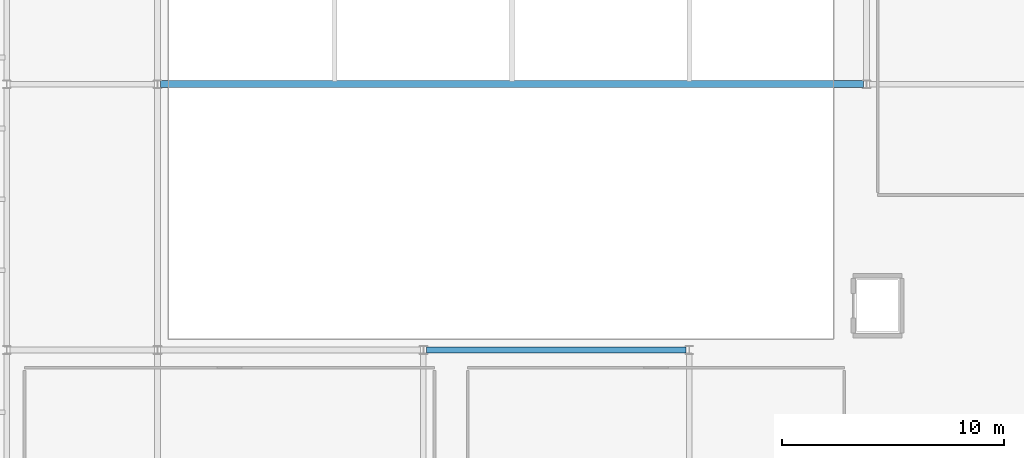
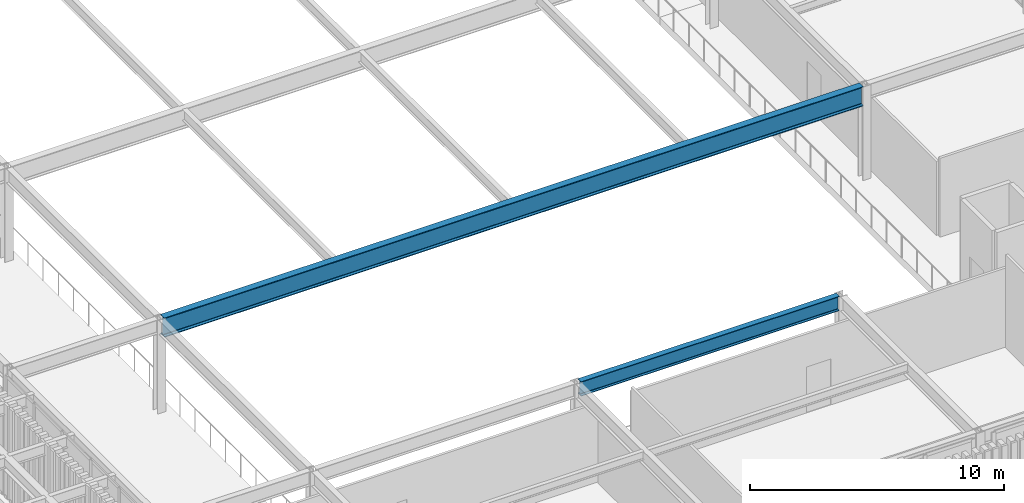
# One storey, part 47 of 126: 2 beams.
"""IFC4 building model written with IfcOpenShell, lengths in metres."""

import ifcopenshell
import ifcopenshell.guid

model = None  # the IFC model being written
_history = None  # IfcOwnerHistory: only IFC2X3 demands one
_inside = {}  # id of a spatial element -> (the spatial element, [elements in it])
_under = {}  # id of a project, library or spatial element -> (it, [spatial elements below it])
_declared = {}  # id of a project -> (the project, [libraries it declares])
_typed = {}  # id of a type object -> (the type object, [elements of that type])
_made_of = {}  # id of a material, layer set ... -> (it, [elements and type objects made of it])


def new_model(schema):
    """Start an empty IFC model of exactly this schema.

    Asked for "IFC4X3", IfcOpenShell would pick the latest addendum, in which some entities
    have other attributes; the version numbers below select the first issue.
    IFC2X3 requires an IfcOwnerHistory on every rooted entity: one is made here for all.
    """
    global model, _history
    if schema == "IFC4X3":
        model = ifcopenshell.file(schema_version=(4, 3, 0, 0))
    else:
        model = ifcopenshell.file(schema=schema)
    _inside.clear()
    _under.clear()
    _declared.clear()
    _typed.clear()
    _made_of.clear()
    _history = None
    if model.schema == "IFC2X3":
        org = make("IfcOrganization", Name="unknown")
        user = make(
            "IfcPersonAndOrganization",
            ThePerson=make("IfcPerson", FamilyName="unknown"),
            TheOrganization=org,
        )
        app = make(
            "IfcApplication",
            ApplicationDeveloper=org,
            Version="unknown",
            ApplicationFullName="unknown",
            ApplicationIdentifier="unknown",
        )
        _history = make(
            "IfcOwnerHistory",
            OwningUser=user,
            OwningApplication=app,
            ChangeAction="ADDED",
            CreationDate=0,
        )
    return model


def make(cls, **values):
    """One entity of the class cls with the attributes given. An attribute that is None is left unset."""
    return model.create_entity(
        cls, **{name: value for name, value in values.items() if value is not None}
    )


def rooted(cls, **values):
    """An entity with a GlobalId (a new one), such as an element, a storey or a relation."""
    return make(cls, GlobalId=ifcopenshell.guid.new(), OwnerHistory=_history, **values)


def si_unit(unit_type, name, prefix=None):
    """IfcSIUnit, for example si_unit("LENGTHUNIT", "METRE", prefix="MILLI")."""
    return make("IfcSIUnit", UnitType=unit_type, Prefix=prefix, Name=name)


def derived_unit(unit_type, elements):
    """IfcDerivedUnit: a product of units, each with its exponent."""
    return make(
        "IfcDerivedUnit",
        Elements=[
            make("IfcDerivedUnitElement", Unit=unit, Exponent=power)
            for unit, power in elements
        ],
        UnitType=unit_type,
    )


def assignment(units):
    """IfcUnitAssignment: the units of a project."""
    return None if units is None else make("IfcUnitAssignment", Units=units)


def point(xyz):
    """IfcCartesianPoint."""
    return None if xyz is None else make("IfcCartesianPoint", Coordinates=xyz)


def direction(xyz):
    """IfcDirection."""
    return None if xyz is None else make("IfcDirection", DirectionRatios=xyz)


def frame(location, z_axis=None, x_axis=None):
    """IfcAxis2Placement3D, a coordinate frame: its origin and axes. An axis left out is left unset."""
    return make(
        "IfcAxis2Placement3D",
        Location=point(location),
        Axis=direction(z_axis),
        RefDirection=direction(x_axis),
    )


def frame_2d(location, x_axis=None):
    """IfcAxis2Placement2D, a coordinate frame in the plane: its origin and x axis."""
    return make(
        "IfcAxis2Placement2D", Location=point(location), RefDirection=direction(x_axis)
    )


def origin():
    """The frame at (0, 0, 0) with its axes left unset."""
    return frame((0.0, 0.0, 0.0))


def origin_2d():
    """The frame at (0, 0) in the plane with its x axis left unset."""
    return frame_2d((0.0, 0.0))


def place(relative_to, where):
    """IfcLocalPlacement: puts the frame where relative to a parent placement (None: the world)."""
    return make(
        "IfcLocalPlacement", PlacementRelTo=relative_to, RelativePlacement=where
    )


def context(
    kind, dimensions, precision=None, world=None, true_north=None, identifier=None
):
    """IfcGeometricRepresentationContext, for example the 3D "Model" context."""
    return make(
        "IfcGeometricRepresentationContext",
        ContextIdentifier=identifier,
        ContextType=kind,
        CoordinateSpaceDimension=dimensions,
        Precision=precision,
        WorldCoordinateSystem=world,
        TrueNorth=true_north,
    )


def subcontext(parent, identifier, kind, view, scale=None):
    """IfcGeometricRepresentationSubContext, for example "Body" below "Model"."""
    return make(
        "IfcGeometricRepresentationSubContext",
        ContextIdentifier=identifier,
        ContextType=kind,
        ParentContext=parent,
        TargetScale=scale,
        TargetView=view,
    )


def project(units=None, contexts=None):
    """IfcProject with its units and contexts."""
    return rooted(
        "IfcProject",
        Name="project",
        RepresentationContexts=contexts,
        UnitsInContext=assignment(units),
    )


def spatial(cls, under=None, at=None, **own):
    """A site, building, storey or space (cls), placed at a placement, below another one or the project."""
    s = rooted(cls, ObjectPlacement=at, **own)
    if under is not None:
        _under.setdefault(under.id(), (under, []))[1].append(s)
    return s


def profile(cls, at=None, kind="AREA", **sizes):
    """A parametric profile (cls). Its sizes go by their IFC names, for example OverallWidth=200.0."""
    return make(cls, ProfileType=kind, Position=at, **sizes)


def i_section(**sizes):
    """IfcIShapeProfileDef."""
    return profile("IfcIShapeProfileDef", **sizes)


def extrude(swept, where, along, depth):
    """IfcExtrudedAreaSolid: the profile swept, set in the frame where, extruded along a direction by depth."""
    return make(
        "IfcExtrudedAreaSolid",
        SweptArea=swept,
        Position=where,
        ExtrudedDirection=direction(along),
        Depth=depth,
    )


def shape(context_of_items, identifier, shape_type, items):
    """IfcShapeRepresentation: the items that make up one representation, for example the "Body"."""
    return make(
        "IfcShapeRepresentation",
        ContextOfItems=context_of_items,
        RepresentationIdentifier=identifier,
        RepresentationType=shape_type,
        Items=items,
    )


def material(Name=None, Category=None):
    """IfcMaterial."""
    return make("IfcMaterial", Name=Name, Category=Category)


def material_profile(
    of_material, cross_section, Name=None, Category=None, Priority=None
):
    """IfcMaterialProfile: a cross section and its material."""
    return make(
        "IfcMaterialProfile",
        Name=Name,
        Material=of_material,
        Profile=cross_section,
        Priority=Priority,
        Category=Category,
    )


def profile_set(profiles, Name=None, composite=None):
    """IfcMaterialProfileSet."""
    return make(
        "IfcMaterialProfileSet",
        Name=Name,
        MaterialProfiles=profiles,
        CompositeProfile=composite,
    )


def made_of(thing, what):
    """Note that an element or type object is made of a material, layer set ...; save() writes the relation."""
    if what is not None:
        _made_of.setdefault(what.id(), (what, []))[1].append(thing)
    return thing


def type_object(cls, material=None, **own):
    """A type object (cls), such as IfcWallType, which elements share."""
    return made_of(rooted(cls, **own), material)


def element(
    cls,
    number,
    at=None,
    inside=None,
    cuts=None,
    type_object=None,
    material=None,
    context=None,
    identifier="Body",
    shape_type=None,
    held_by="IfcProductDefinitionShape",
    body=None,
    shapes=None,
    **own,
):
    """One element of the class cls, such as IfcWall. Its Tag is "e" and its number.

    at: its placement. inside: the storey or other place that contains it. cuts: it is an
    opening in that element (IfcRelVoidsElement). A single representation is given by context,
    identifier, shape_type and body (its items); several are given by shapes. held_by: the class
    of the entity that holds the representations. save() writes the other relations.
    """
    e = rooted(cls, Tag="e%d" % number, ObjectPlacement=at, **own)
    if body is not None:
        shapes = [shape(context, identifier, shape_type, body)]
    if shapes is not None:
        e.Representation = make(held_by, Representations=shapes)
    if inside is not None:
        _inside.setdefault(inside.id(), (inside, []))[1].append(e)
    if cuts is not None:
        rooted(
            "IfcRelVoidsElement", RelatingBuildingElement=cuts, RelatedOpeningElement=e
        )
    if type_object is not None:
        _typed.setdefault(type_object.id(), (type_object, []))[1].append(e)
    return made_of(e, material)


def aggregate(whole, parts):
    """IfcRelAggregates: a whole, such as a stair, and the parts it consists of."""
    return rooted("IfcRelAggregates", RelatingObject=whole, RelatedObjects=parts)


def save(model, path):
    """Write the relations noted so far, then the file.

    IfcRelAggregates (storeys below a building ...), IfcRelContainedInSpatialStructure (elements
    in a storey), IfcRelDefinesByType, IfcRelAssociatesMaterial and IfcRelDeclares: one each for
    every whole, place, type object, material and project.
    """
    for whole, parts in _under.values():
        aggregate(whole, parts)
    for where, things in _inside.values():
        rooted(
            "IfcRelContainedInSpatialStructure",
            RelatedElements=things,
            RelatingStructure=where,
        )
    for kind, things in _typed.values():
        rooted("IfcRelDefinesByType", RelatedObjects=things, RelatingType=kind)
    for what, things in _made_of.values():
        rooted("IfcRelAssociatesMaterial", RelatedObjects=things, RelatingMaterial=what)
    for by, libraries in _declared.values():
        rooted("IfcRelDeclares", RelatingContext=by, RelatedDefinitions=libraries)
    model.write(path)


model = new_model("IFC4")

# Units and contexts
model_context = context("Model", 3, precision=1e-05, world=origin(), true_north=direction((0.0, 1.0)))
body_context = subcontext(model_context, "Body", "Model", "MODEL_VIEW")
ifc_project = project(units=[si_unit("LENGTHUNIT", "METRE"), si_unit("AREAUNIT", "SQUARE_METRE"), si_unit("VOLUMEUNIT", "CUBIC_METRE"), si_unit("PLANEANGLEUNIT", "RADIAN"), si_unit("MASSUNIT", "GRAM", prefix="KILO"), derived_unit("THERMALTRANSMITTANCEUNIT", [(si_unit("MASSUNIT", "GRAM", prefix="KILO"), 1), (si_unit("TIMEUNIT", "SECOND"), -3), (si_unit("THERMODYNAMICTEMPERATUREUNIT", "KELVIN"), -1)])], contexts=[model_context])

# Site, building, storey
site_placement = place(None, origin())
site = spatial("IfcSite", under=ifc_project, at=site_placement, CompositionType="ELEMENT")
building_placement = place(site_placement, origin())
building = spatial("IfcBuilding", under=site, at=building_placement, Name="Valcora Ridge Arena", CompositionType="ELEMENT")
storey_placement = place(building_placement, frame((0.0, 0.0, 11.39990234375)))
storey = spatial("IfcBuildingStorey", under=building, at=storey_placement, Name="L02", CompositionType="ELEMENT", Elevation=11.39990234375)

# Beams
ifc_material = material(Name="Steel ASTM A572 Grade 50", Category="steel")
ifc_material_profile_1 = material_profile(ifc_material, i_section(OverallWidth=0.31005859375, OverallDepth=0.931884765625, WebThickness=0.02099609375, FlangeThickness=0.034423828125, FilletRadius=0.02392578125, at=origin_2d()), Name="W36X210")
ifc_profile_set_1 = profile_set([ifc_material_profile_1], Name="Steel ASTM A572 Grade 50")
beam_type_1 = type_object("IfcBeamType", Name="TY-BEAM-G-CRT-W36X210", PredefinedType="BEAM", material=ifc_profile_set_1)
beam_1_placement = place(storey_placement, frame((144.139892578125, 28.0, 4.01416015625), z_axis=(1.0, 0.0, 0.0), x_axis=(0.0, 1.0, 0.0)))
element("IfcBeam", 1, at=beam_1_placement, inside=storey, type_object=beam_type_1, Name="G-CRT-W36X210 BEM-G-CRT-W36X210-0001", PredefinedType="BEAM", context=body_context, shape_type="SweptSolid", body=[
    extrude(i_section(OverallWidth=0.31005859375, OverallDepth=0.931884765625, WebThickness=0.02099609375, FlangeThickness=0.034423828125, FilletRadius=0.02392578125, at=origin_2d()), origin(), (0.0, 0.0, 1.0), 31.72021484375),
])
ifc_material_profile_2 = material_profile(ifc_material, i_section(OverallWidth=0.256103515625, OverallDepth=0.693115234375, WebThickness=0.014404296875, FlangeThickness=0.023681640625, FilletRadius=0.02001953125, at=origin_2d()), Name="W27X114")
ifc_profile_set_2 = profile_set([ifc_material_profile_2], Name="Steel ASTM A572 Grade 50")
beam_type_2 = type_object("IfcBeamType", Name="TY-BEAM-G-W27X114-X", PredefinedType="BEAM", material=ifc_profile_set_2)
beam_2_placement = place(storey_placement, frame((156.139892578125, 16.0, 4.133544921875), z_axis=(1.0, 0.0, 0.0), x_axis=(0.0, 1.0, 0.0)))
element("IfcBeam", 2, at=beam_2_placement, inside=storey, type_object=beam_type_2, Name="G-W27X114-X BEM-G-W27X114-X-0040", PredefinedType="BEAM", context=body_context, shape_type="SweptSolid", body=[
    extrude(i_section(OverallWidth=0.256103515625, OverallDepth=0.693115234375, WebThickness=0.014404296875, FlangeThickness=0.023681640625, FilletRadius=0.02001953125, at=origin_2d()), origin(), (0.0, 0.0, 1.0), 11.72021484375),
])

save(model, "model.ifc")
